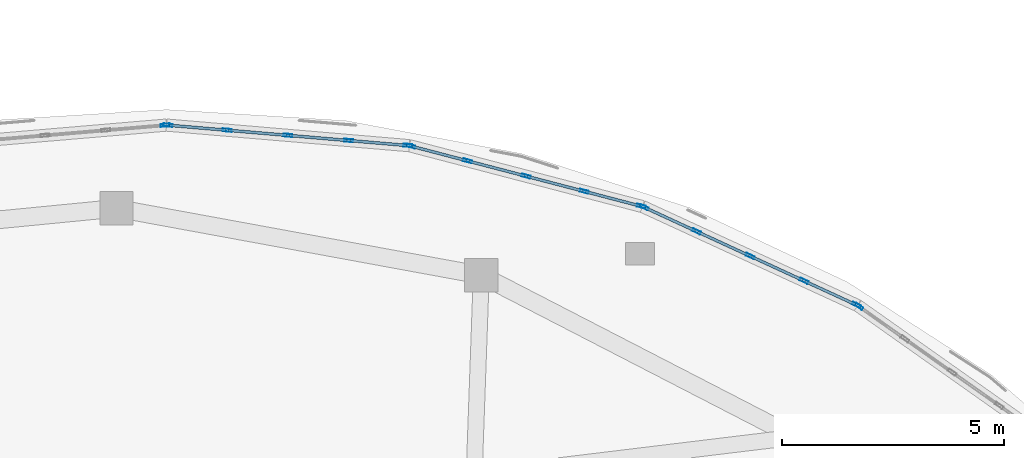
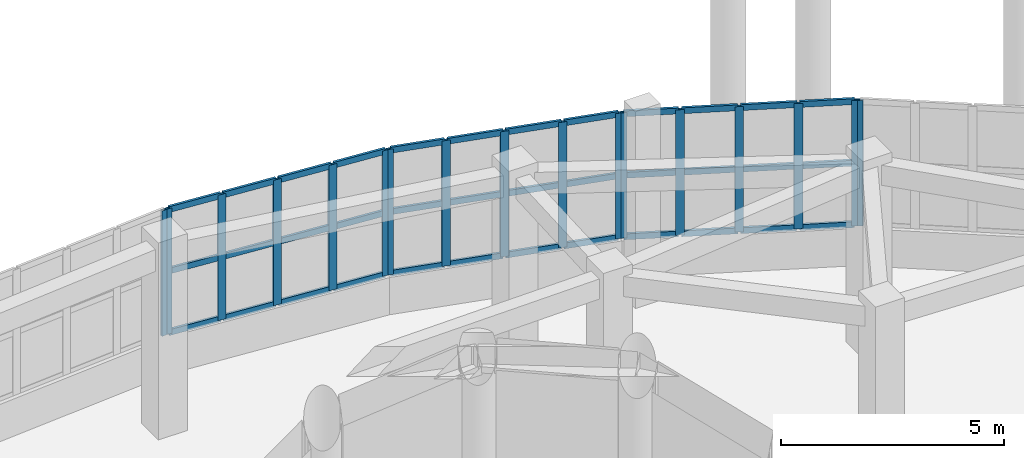
# One storey, part 48 of 96: 53 members, 5 elements without a shape of their own.
"""IFC4 building model written with IfcOpenShell, lengths in metres."""

from ifc_helpers import new_model, si_unit, direction, frame, origin, origin_2d, place, context, subcontext, project, spatial, hollow_rectangle, extrude, material, layer, layer_set, material_profile, profile_set, type_object, element, aggregate, save


model = new_model("IFC4")

# Units and contexts
model_context = context("Model", 3, precision=1e-05, world=origin(), true_north=direction((0.0, 1.0)))
body_context = subcontext(model_context, "Body", "Model", "MODEL_VIEW")
ifc_project = project(units=[si_unit("LENGTHUNIT", "METRE"), si_unit("AREAUNIT", "SQUARE_METRE"), si_unit("VOLUMEUNIT", "CUBIC_METRE"), si_unit("PLANEANGLEUNIT", "RADIAN"), si_unit("MASSUNIT", "GRAM", prefix="KILO")], contexts=[model_context])

# Site, building, storey
site_placement = place(None, origin())
site = spatial("IfcSite", under=ifc_project, at=site_placement, CompositionType="ELEMENT")
building_placement = place(site_placement, origin())
building = spatial("IfcBuilding", under=site, at=building_placement, Name="Pelvatis Terrace Science Centre", CompositionType="ELEMENT")
storey_placement = place(building_placement, origin())
storey = spatial("IfcBuildingStorey", under=building, at=storey_placement, Name="L00", CompositionType="ELEMENT", Elevation=0.0)

# Curtain wall, member
ifc_material_1 = material(Name="Bronze-anodised aluminium and laminated glass", Category="aluminium")
ifc_layer = layer(ifc_material_1, 0.199951171875)
ifc_layer_set = layer_set([ifc_layer], Name="Bronze-anodised aluminium and laminated glass")
curtain_wall_type = type_object("IfcCurtainWallType", Name="CW-RIBBON-B", PredefinedType="NOTDEFINED", material=ifc_layer_set)
curtain_wall_1_placement = place(storey_placement, origin())
curtain_wall_1 = element("IfcCurtainWall", 1, at=curtain_wall_1_placement, inside=storey, type_object=curtain_wall_type, Name="Ribbon curtain wall CW-104 (L00)", PredefinedType="NOTDEFINED")
ifc_material_2 = material(Name="Bronze-anodised aluminium 6063-T6", Category="aluminium")
ifc_material_profile_1 = material_profile(ifc_material_2, hollow_rectangle(XDim=0.06494140625, YDim=0.199951171875, WallThickness=0.00439453125, at=origin_2d()), Name="ALU-MUL 65x200")
ifc_profile_set_1 = profile_set([ifc_material_profile_1], Name="Bronze-anodised aluminium 6063-T6")
member_type_1 = type_object("IfcMemberType", Name="CWM-65x200", PredefinedType="MULLION", material=ifc_profile_set_1)
member_1_placement = place(storey_placement, frame((127.210205078125, 102.26123046875, 1.02001953125), z_axis=(0.0, 0.0, 1.0), x_axis=(-0.577064835369, -0.816698338299, 0.0)))
member_1 = element("IfcMember", 2, at=member_1_placement, type_object=member_type_1, Name="CW-104 mullion 5", PredefinedType="MULLION", context=body_context, shape_type="SweptSolid", body=[
    extrude(hollow_rectangle(XDim=0.06494140625, YDim=0.199951171875, WallThickness=0.00439453125, at=origin_2d()), origin(), (0.0, 0.0, 1.0), 3.43994140625),
])
aggregate(curtain_wall_1, [member_1])

# Curtain wall, members
curtain_wall_2_placement = place(storey_placement, origin())
curtain_wall_2 = element("IfcCurtainWall", 3, at=curtain_wall_2_placement, inside=storey, type_object=curtain_wall_type, Name="Ribbon curtain wall CW-105 (L00)", PredefinedType="NOTDEFINED")
member_2_placement = place(storey_placement, frame((127.154296875, 102.293701171875, 1.02001953125), z_axis=(0.0, 0.0, 1.0), x_axis=(-0.41805650264, -0.908421026067, 0.0)))
member_2 = element("IfcMember", 4, at=member_2_placement, type_object=member_type_1, Name="CW-105 mullion 1", PredefinedType="MULLION", context=body_context, shape_type="SweptSolid", body=[
    extrude(hollow_rectangle(XDim=0.06494140625, YDim=0.199951171875, WallThickness=0.00439453125, at=origin_2d()), origin(), (0.0, 0.0, 1.0), 3.43994140625),
])
member_3_placement = place(storey_placement, frame((125.971435546875, 102.837890625, 1.02001953125), z_axis=(0.0, 0.0, 1.0), x_axis=(-0.41805650264, -0.908421026067, 0.0)))
member_3 = element("IfcMember", 5, at=member_3_placement, type_object=member_type_1, Name="CW-105 mullion 2", PredefinedType="MULLION", context=body_context, shape_type="SweptSolid", body=[
    extrude(hollow_rectangle(XDim=0.06494140625, YDim=0.199951171875, WallThickness=0.00439453125, at=origin_2d()), origin(), (0.0, 0.0, 1.0), 3.43994140625),
])
member_4_placement = place(storey_placement, frame((124.759033203125, 103.395751953125, 1.02001953125), z_axis=(0.0, 0.0, 1.0), x_axis=(-0.41805650264, -0.908421026067, 0.0)))
member_4 = element("IfcMember", 6, at=member_4_placement, type_object=member_type_1, Name="CW-105 mullion 3", PredefinedType="MULLION", context=body_context, shape_type="SweptSolid", body=[
    extrude(hollow_rectangle(XDim=0.06494140625, YDim=0.199951171875, WallThickness=0.00439453125, at=origin_2d()), origin(), (0.0, 0.0, 1.0), 3.43994140625),
])
member_5_placement = place(storey_placement, frame((123.546630859375, 103.953857421875, 1.02001953125), z_axis=(0.0, 0.0, 1.0), x_axis=(-0.41805650264, -0.908421026067, 0.0)))
member_5 = element("IfcMember", 7, at=member_5_placement, type_object=member_type_1, Name="CW-105 mullion 4", PredefinedType="MULLION", context=body_context, shape_type="SweptSolid", body=[
    extrude(hollow_rectangle(XDim=0.06494140625, YDim=0.199951171875, WallThickness=0.00439453125, at=origin_2d()), origin(), (0.0, 0.0, 1.0), 3.43994140625),
])
member_6_placement = place(storey_placement, frame((122.36376953125, 104.498046875, 1.02001953125), z_axis=(0.0, 0.0, 1.0), x_axis=(-0.41805650264, -0.908421026067, 0.0)))
member_6 = element("IfcMember", 8, at=member_6_placement, type_object=member_type_1, Name="CW-105 mullion 5", PredefinedType="MULLION", context=body_context, shape_type="SweptSolid", body=[
    extrude(hollow_rectangle(XDim=0.06494140625, YDim=0.199951171875, WallThickness=0.00439453125, at=origin_2d()), origin(), (0.0, 0.0, 1.0), 3.43994140625),
])

curtain_wall_3_placement = place(storey_placement, origin())
curtain_wall_3 = element("IfcCurtainWall", 9, at=curtain_wall_3_placement, inside=storey, type_object=curtain_wall_type, Name="Ribbon curtain wall CW-106 (L00)", PredefinedType="NOTDEFINED")
member_7_placement = place(storey_placement, frame((122.302734375, 104.52001953125, 1.02001953125), z_axis=(0.0, 0.0, 1.0), x_axis=(-0.252698088449, -0.967545180389, 0.0)))
member_7 = element("IfcMember", 10, at=member_7_placement, type_object=member_type_1, Name="CW-106 mullion 1", PredefinedType="MULLION", context=body_context, shape_type="SweptSolid", body=[
    extrude(hollow_rectangle(XDim=0.06494140625, YDim=0.199951171875, WallThickness=0.00439453125, at=origin_2d()), origin(), (0.0, 0.0, 1.0), 3.43994140625),
])
member_8_placement = place(storey_placement, frame((121.018798828125, 104.855224609375, 1.02001953125), z_axis=(0.0, 0.0, 1.0), x_axis=(-0.252698088449, -0.967545180389, 0.0)))
member_8 = element("IfcMember", 11, at=member_8_placement, type_object=member_type_1, Name="CW-106 mullion 2", PredefinedType="MULLION", context=body_context, shape_type="SweptSolid", body=[
    extrude(hollow_rectangle(XDim=0.06494140625, YDim=0.199951171875, WallThickness=0.00439453125, at=origin_2d()), origin(), (0.0, 0.0, 1.0), 3.43994140625),
])
member_9_placement = place(storey_placement, frame((119.703369140625, 105.19873046875, 1.02001953125), z_axis=(0.0, 0.0, 1.0), x_axis=(-0.252698088449, -0.967545180389, 0.0)))
member_9 = element("IfcMember", 12, at=member_9_placement, type_object=member_type_1, Name="CW-106 mullion 3", PredefinedType="MULLION", context=body_context, shape_type="SweptSolid", body=[
    extrude(hollow_rectangle(XDim=0.06494140625, YDim=0.199951171875, WallThickness=0.00439453125, at=origin_2d()), origin(), (0.0, 0.0, 1.0), 3.43994140625),
])
member_10_placement = place(storey_placement, frame((118.3876953125, 105.54248046875, 1.02001953125), z_axis=(0.0, 0.0, 1.0), x_axis=(-0.252698088449, -0.967545180389, 0.0)))
member_10 = element("IfcMember", 13, at=member_10_placement, type_object=member_type_1, Name="CW-106 mullion 4", PredefinedType="MULLION", context=body_context, shape_type="SweptSolid", body=[
    extrude(hollow_rectangle(XDim=0.06494140625, YDim=0.199951171875, WallThickness=0.00439453125, at=origin_2d()), origin(), (0.0, 0.0, 1.0), 3.43994140625),
])
member_11_placement = place(storey_placement, frame((117.103759765625, 105.877685546875, 1.02001953125), z_axis=(0.0, 0.0, 1.0), x_axis=(-0.252698088449, -0.967545180389, 0.0)))
member_11 = element("IfcMember", 14, at=member_11_placement, type_object=member_type_1, Name="CW-106 mullion 5", PredefinedType="MULLION", context=body_context, shape_type="SweptSolid", body=[
    extrude(hollow_rectangle(XDim=0.06494140625, YDim=0.199951171875, WallThickness=0.00439453125, at=origin_2d()), origin(), (0.0, 0.0, 1.0), 3.43994140625),
])

curtain_wall_4_placement = place(storey_placement, origin())
curtain_wall_4 = element("IfcCurtainWall", 15, at=curtain_wall_4_placement, inside=storey, type_object=curtain_wall_type, Name="Ribbon curtain wall CW-107 (L00)", PredefinedType="NOTDEFINED")
member_12_placement = place(storey_placement, frame((117.039794921875, 105.888671875, 1.02001953125), z_axis=(0.0, 0.0, 1.0), x_axis=(-0.084487507255, -0.996424538597, 0.0)))
member_12 = element("IfcMember", 16, at=member_12_placement, type_object=member_type_1, Name="CW-107 mullion 1", PredefinedType="MULLION", context=body_context, shape_type="SweptSolid", body=[
    extrude(hollow_rectangle(XDim=0.06494140625, YDim=0.199951171875, WallThickness=0.00439453125, at=origin_2d()), origin(), (0.0, 0.0, 1.0), 3.43994140625),
])
member_13_placement = place(storey_placement, frame((115.704345703125, 106.001953125, 1.02001953125), z_axis=(0.0, 0.0, 1.0), x_axis=(-0.084487507255, -0.996424538597, 0.0)))
member_13 = element("IfcMember", 17, at=member_13_placement, type_object=member_type_1, Name="CW-107 mullion 2", PredefinedType="MULLION", context=body_context, shape_type="SweptSolid", body=[
    extrude(hollow_rectangle(XDim=0.06494140625, YDim=0.199951171875, WallThickness=0.00439453125, at=origin_2d()), origin(), (0.0, 0.0, 1.0), 3.43994140625),
])
member_14_placement = place(storey_placement, frame((114.336181640625, 106.117919921875, 1.02001953125), z_axis=(0.0, 0.0, 1.0), x_axis=(-0.084487507255, -0.996424538597, 0.0)))
member_14 = element("IfcMember", 18, at=member_14_placement, type_object=member_type_1, Name="CW-107 mullion 3", PredefinedType="MULLION", context=body_context, shape_type="SweptSolid", body=[
    extrude(hollow_rectangle(XDim=0.06494140625, YDim=0.199951171875, WallThickness=0.00439453125, at=origin_2d()), origin(), (0.0, 0.0, 1.0), 3.43994140625),
])
member_15_placement = place(storey_placement, frame((112.968017578125, 106.23388671875, 1.02001953125), z_axis=(0.0, 0.0, 1.0), x_axis=(-0.084487507255, -0.996424538597, 0.0)))
member_15 = element("IfcMember", 19, at=member_15_placement, type_object=member_type_1, Name="CW-107 mullion 4", PredefinedType="MULLION", context=body_context, shape_type="SweptSolid", body=[
    extrude(hollow_rectangle(XDim=0.06494140625, YDim=0.199951171875, WallThickness=0.00439453125, at=origin_2d()), origin(), (0.0, 0.0, 1.0), 3.43994140625),
])
member_16_placement = place(storey_placement, frame((111.63232421875, 106.34716796875, 1.02001953125), z_axis=(0.0, 0.0, 1.0), x_axis=(-0.084487507255, -0.996424538597, 0.0)))
member_16 = element("IfcMember", 20, at=member_16_placement, type_object=member_type_1, Name="CW-107 mullion 5", PredefinedType="MULLION", context=body_context, shape_type="SweptSolid", body=[
    extrude(hollow_rectangle(XDim=0.06494140625, YDim=0.199951171875, WallThickness=0.00439453125, at=origin_2d()), origin(), (0.0, 0.0, 1.0), 3.43994140625),
])

# Curtain wall, member
curtain_wall_5_placement = place(storey_placement, origin())
curtain_wall_5 = element("IfcCurtainWall", 21, at=curtain_wall_5_placement, inside=storey, type_object=curtain_wall_type, Name="Ribbon curtain wall CW-108 (L00)", PredefinedType="NOTDEFINED")
member_17_placement = place(storey_placement, frame((111.567626953125, 106.34716796875, 1.02001953125), z_axis=(0.0, 0.0, 1.0), x_axis=(0.084487507255, -0.996424538597, 0.0)))
member_17 = element("IfcMember", 22, at=member_17_placement, type_object=member_type_1, Name="CW-108 mullion 1", PredefinedType="MULLION", context=body_context, shape_type="SweptSolid", body=[
    extrude(hollow_rectangle(XDim=0.06494140625, YDim=0.199951171875, WallThickness=0.00439453125, at=origin_2d()), origin(), (0.0, 0.0, 1.0), 3.43994140625),
])
aggregate(curtain_wall_5, [member_17])

# Member
ifc_material_3 = material(Name="Bronze-anodised aluminium 6063-T6", Category="aluminium")
ifc_material_profile_2 = material_profile(ifc_material_3, hollow_rectangle(XDim=0.06494140625, YDim=0.159912109375, WallThickness=0.00390625, at=origin_2d()), Name="ALU-TRN 65x160")
ifc_profile_set_2 = profile_set([ifc_material_profile_2], Name="Bronze-anodised aluminium 6063-T6")
member_type_2 = type_object("IfcMemberType", Name="CWT-65x160", PredefinedType="USERDEFINED", material=ifc_profile_set_2)
member_18_placement = place(storey_placement, frame((127.124755859375, 102.30712890625, 1.052490234375), z_axis=(-0.908443990463, 0.418006598262, 0.0), x_axis=(-0.418006598262, -0.908443990463, 0.0)))
member_18 = element("IfcMember", 23, at=member_18_placement, type_object=member_type_2, Name="CW-105 transom 1.1", ObjectType="TRANSOM", PredefinedType="USERDEFINED", context=body_context, shape_type="SweptSolid", body=[
    extrude(hollow_rectangle(XDim=0.06494140625, YDim=0.159912109375, WallThickness=0.00390625, at=origin_2d()), origin(), (0.0, 0.0, 1.0), 1.237060546875),
])

member_19_placement = place(storey_placement, frame((127.124755859375, 102.30712890625, 2.739990234375), z_axis=(-0.908443990463, 0.418006598262, 0.0), x_axis=(-0.418006598262, -0.908443990463, 0.0)))
member_19 = element("IfcMember", 24, at=member_19_placement, type_object=member_type_2, Name="CW-105 transom 1.2", ObjectType="TRANSOM", PredefinedType="USERDEFINED", context=body_context, shape_type="SweptSolid", body=[
    extrude(hollow_rectangle(XDim=0.06494140625, YDim=0.159912109375, WallThickness=0.00390625, at=origin_2d()), origin(), (0.0, 0.0, 1.0), 1.237060546875),
])

member_20_placement = place(storey_placement, frame((127.124755859375, 102.30712890625, 4.427490234375), z_axis=(-0.908443990463, 0.418006598262, 0.0), x_axis=(-0.418006598262, -0.908443990463, 0.0)))
member_20 = element("IfcMember", 25, at=member_20_placement, type_object=member_type_2, Name="CW-105 transom 1.3", ObjectType="TRANSOM", PredefinedType="USERDEFINED", context=body_context, shape_type="SweptSolid", body=[
    extrude(hollow_rectangle(XDim=0.06494140625, YDim=0.159912109375, WallThickness=0.00390625, at=origin_2d()), origin(), (0.0, 0.0, 1.0), 1.237060546875),
])

member_21_placement = place(storey_placement, frame((125.94189453125, 102.8515625, 1.052490234375), z_axis=(-0.908420351401, 0.418057968659, 0.0), x_axis=(-0.418057968659, -0.908420351401, 0.0)))
member_21 = element("IfcMember", 26, at=member_21_placement, type_object=member_type_2, Name="CW-105 transom 2.1", ObjectType="TRANSOM", PredefinedType="USERDEFINED", context=body_context, shape_type="SweptSolid", body=[
    extrude(hollow_rectangle(XDim=0.06494140625, YDim=0.159912109375, WallThickness=0.00390625, at=origin_2d()), origin(), (0.0, 0.0, 1.0), 1.26953125),
])

member_22_placement = place(storey_placement, frame((125.94189453125, 102.8515625, 2.739990234375), z_axis=(-0.908420351401, 0.418057968659, 0.0), x_axis=(-0.418057968659, -0.908420351401, 0.0)))
member_22 = element("IfcMember", 27, at=member_22_placement, type_object=member_type_2, Name="CW-105 transom 2.2", ObjectType="TRANSOM", PredefinedType="USERDEFINED", context=body_context, shape_type="SweptSolid", body=[
    extrude(hollow_rectangle(XDim=0.06494140625, YDim=0.159912109375, WallThickness=0.00390625, at=origin_2d()), origin(), (0.0, 0.0, 1.0), 1.26953125),
])

member_23_placement = place(storey_placement, frame((125.94189453125, 102.8515625, 4.427490234375), z_axis=(-0.908420351401, 0.418057968659, 0.0), x_axis=(-0.418057968659, -0.908420351401, 0.0)))
member_23 = element("IfcMember", 28, at=member_23_placement, type_object=member_type_2, Name="CW-105 transom 2.3", ObjectType="TRANSOM", PredefinedType="USERDEFINED", context=body_context, shape_type="SweptSolid", body=[
    extrude(hollow_rectangle(XDim=0.06494140625, YDim=0.159912109375, WallThickness=0.00390625, at=origin_2d()), origin(), (0.0, 0.0, 1.0), 1.26953125),
])

member_24_placement = place(storey_placement, frame((124.7294921875, 103.409423828125, 1.052490234375), z_axis=(-0.908420351401, 0.418057968659, 0.0), x_axis=(-0.418057968659, -0.908420351401, 0.0)))
member_24 = element("IfcMember", 29, at=member_24_placement, type_object=member_type_2, Name="CW-105 transom 3.1", ObjectType="TRANSOM", PredefinedType="USERDEFINED", context=body_context, shape_type="SweptSolid", body=[
    extrude(hollow_rectangle(XDim=0.06494140625, YDim=0.159912109375, WallThickness=0.00390625, at=origin_2d()), origin(), (0.0, 0.0, 1.0), 1.26953125),
])

member_25_placement = place(storey_placement, frame((124.7294921875, 103.409423828125, 2.739990234375), z_axis=(-0.908420351401, 0.418057968659, 0.0), x_axis=(-0.418057968659, -0.908420351401, 0.0)))
member_25 = element("IfcMember", 30, at=member_25_placement, type_object=member_type_2, Name="CW-105 transom 3.2", ObjectType="TRANSOM", PredefinedType="USERDEFINED", context=body_context, shape_type="SweptSolid", body=[
    extrude(hollow_rectangle(XDim=0.06494140625, YDim=0.159912109375, WallThickness=0.00390625, at=origin_2d()), origin(), (0.0, 0.0, 1.0), 1.26953125),
])

member_26_placement = place(storey_placement, frame((124.7294921875, 103.409423828125, 4.427490234375), z_axis=(-0.908420351401, 0.418057968659, 0.0), x_axis=(-0.418057968659, -0.908420351401, 0.0)))
member_26 = element("IfcMember", 31, at=member_26_placement, type_object=member_type_2, Name="CW-105 transom 3.3", ObjectType="TRANSOM", PredefinedType="USERDEFINED", context=body_context, shape_type="SweptSolid", body=[
    extrude(hollow_rectangle(XDim=0.06494140625, YDim=0.159912109375, WallThickness=0.00390625, at=origin_2d()), origin(), (0.0, 0.0, 1.0), 1.26953125),
])

member_27_placement = place(storey_placement, frame((123.51708984375, 103.96728515625, 1.052490234375), z_axis=(-0.908369037771, 0.418169452756, 0.0), x_axis=(-0.418169452756, -0.908369037771, 0.0)))
member_27 = element("IfcMember", 32, at=member_27_placement, type_object=member_type_2, Name="CW-105 transom 4.1", ObjectType="TRANSOM", PredefinedType="USERDEFINED", context=body_context, shape_type="SweptSolid", body=[
    extrude(hollow_rectangle(XDim=0.06494140625, YDim=0.159912109375, WallThickness=0.00390625, at=origin_2d()), origin(), (0.0, 0.0, 1.0), 1.237060546875),
])

member_28_placement = place(storey_placement, frame((123.51708984375, 103.96728515625, 2.739990234375), z_axis=(-0.908369037771, 0.418169452756, 0.0), x_axis=(-0.418169452756, -0.908369037771, 0.0)))
member_28 = element("IfcMember", 33, at=member_28_placement, type_object=member_type_2, Name="CW-105 transom 4.2", ObjectType="TRANSOM", PredefinedType="USERDEFINED", context=body_context, shape_type="SweptSolid", body=[
    extrude(hollow_rectangle(XDim=0.06494140625, YDim=0.159912109375, WallThickness=0.00390625, at=origin_2d()), origin(), (0.0, 0.0, 1.0), 1.237060546875),
])

member_29_placement = place(storey_placement, frame((123.51708984375, 103.96728515625, 4.427490234375), z_axis=(-0.908369037771, 0.418169452756, 0.0), x_axis=(-0.418169452756, -0.908369037771, 0.0)))
member_29 = element("IfcMember", 34, at=member_29_placement, type_object=member_type_2, Name="CW-105 transom 4.3", ObjectType="TRANSOM", PredefinedType="USERDEFINED", context=body_context, shape_type="SweptSolid", body=[
    extrude(hollow_rectangle(XDim=0.06494140625, YDim=0.159912109375, WallThickness=0.00390625, at=origin_2d()), origin(), (0.0, 0.0, 1.0), 1.237060546875),
])

aggregate(curtain_wall_2, [member_2, member_3, member_4, member_5, member_6, member_18, member_19, member_20, member_21, member_22, member_23, member_24, member_25, member_26, member_27, member_28, member_29])

member_30_placement = place(storey_placement, frame((122.271484375, 104.528076171875, 1.052490234375), z_axis=(-0.967516545518, 0.252807701918, 0.0), x_axis=(-0.252807701918, -0.967516545518, 0.0)))
member_30 = element("IfcMember", 35, at=member_30_placement, type_object=member_type_2, Name="CW-106 transom 1.1", ObjectType="TRANSOM", PredefinedType="USERDEFINED", context=body_context, shape_type="SweptSolid", body=[
    extrude(hollow_rectangle(XDim=0.06494140625, YDim=0.159912109375, WallThickness=0.00390625, at=origin_2d()), origin(), (0.0, 0.0, 1.0), 1.26220703125),
])

member_31_placement = place(storey_placement, frame((122.271484375, 104.528076171875, 2.739990234375), z_axis=(-0.967516545518, 0.252807701918, 0.0), x_axis=(-0.252807701918, -0.967516545518, 0.0)))
member_31 = element("IfcMember", 36, at=member_31_placement, type_object=member_type_2, Name="CW-106 transom 1.2", ObjectType="TRANSOM", PredefinedType="USERDEFINED", context=body_context, shape_type="SweptSolid", body=[
    extrude(hollow_rectangle(XDim=0.06494140625, YDim=0.159912109375, WallThickness=0.00390625, at=origin_2d()), origin(), (0.0, 0.0, 1.0), 1.26220703125),
])

member_32_placement = place(storey_placement, frame((122.271484375, 104.528076171875, 4.427490234375), z_axis=(-0.967516545518, 0.252807701918, 0.0), x_axis=(-0.252807701918, -0.967516545518, 0.0)))
member_32 = element("IfcMember", 37, at=member_32_placement, type_object=member_type_2, Name="CW-106 transom 1.3", ObjectType="TRANSOM", PredefinedType="USERDEFINED", context=body_context, shape_type="SweptSolid", body=[
    extrude(hollow_rectangle(XDim=0.06494140625, YDim=0.159912109375, WallThickness=0.00390625, at=origin_2d()), origin(), (0.0, 0.0, 1.0), 1.26220703125),
])

member_33_placement = place(storey_placement, frame((120.9873046875, 104.863525390625, 1.052490234375), z_axis=(-0.967537108805, 0.252728991384, 0.0), x_axis=(-0.252728991384, -0.967537108805, 0.0)))
member_33 = element("IfcMember", 38, at=member_33_placement, type_object=member_type_2, Name="CW-106 transom 2.1", ObjectType="TRANSOM", PredefinedType="USERDEFINED", context=body_context, shape_type="SweptSolid", body=[
    extrude(hollow_rectangle(XDim=0.06494140625, YDim=0.159912109375, WallThickness=0.00390625, at=origin_2d()), origin(), (0.0, 0.0, 1.0), 1.29443359375),
])

member_34_placement = place(storey_placement, frame((120.9873046875, 104.863525390625, 2.739990234375), z_axis=(-0.967537108805, 0.252728991384, 0.0), x_axis=(-0.252728991384, -0.967537108805, 0.0)))
member_34 = element("IfcMember", 39, at=member_34_placement, type_object=member_type_2, Name="CW-106 transom 2.2", ObjectType="TRANSOM", PredefinedType="USERDEFINED", context=body_context, shape_type="SweptSolid", body=[
    extrude(hollow_rectangle(XDim=0.06494140625, YDim=0.159912109375, WallThickness=0.00390625, at=origin_2d()), origin(), (0.0, 0.0, 1.0), 1.29443359375),
])

member_35_placement = place(storey_placement, frame((120.9873046875, 104.863525390625, 4.427490234375), z_axis=(-0.967537108805, 0.252728991384, 0.0), x_axis=(-0.252728991384, -0.967537108805, 0.0)))
member_35 = element("IfcMember", 40, at=member_35_placement, type_object=member_type_2, Name="CW-106 transom 2.3", ObjectType="TRANSOM", PredefinedType="USERDEFINED", context=body_context, shape_type="SweptSolid", body=[
    extrude(hollow_rectangle(XDim=0.06494140625, YDim=0.159912109375, WallThickness=0.00390625, at=origin_2d()), origin(), (0.0, 0.0, 1.0), 1.29443359375),
])

member_36_placement = place(storey_placement, frame((119.671875, 105.20703125, 1.052490234375), z_axis=(-0.967549151995, 0.252682881246, 0.0), x_axis=(-0.252682881246, -0.967549151995, 0.0)))
member_36 = element("IfcMember", 41, at=member_36_placement, type_object=member_type_2, Name="CW-106 transom 3.1", ObjectType="TRANSOM", PredefinedType="USERDEFINED", context=body_context, shape_type="SweptSolid", body=[
    extrude(hollow_rectangle(XDim=0.06494140625, YDim=0.159912109375, WallThickness=0.00390625, at=origin_2d()), origin(), (0.0, 0.0, 1.0), 1.294677734375),
])

member_37_placement = place(storey_placement, frame((119.671875, 105.20703125, 2.739990234375), z_axis=(-0.967549151995, 0.252682881246, 0.0), x_axis=(-0.252682881246, -0.967549151995, 0.0)))
member_37 = element("IfcMember", 42, at=member_37_placement, type_object=member_type_2, Name="CW-106 transom 3.2", ObjectType="TRANSOM", PredefinedType="USERDEFINED", context=body_context, shape_type="SweptSolid", body=[
    extrude(hollow_rectangle(XDim=0.06494140625, YDim=0.159912109375, WallThickness=0.00390625, at=origin_2d()), origin(), (0.0, 0.0, 1.0), 1.294677734375),
])

member_38_placement = place(storey_placement, frame((119.671875, 105.20703125, 4.427490234375), z_axis=(-0.967549151995, 0.252682881246, 0.0), x_axis=(-0.252682881246, -0.967549151995, 0.0)))
member_38 = element("IfcMember", 43, at=member_38_placement, type_object=member_type_2, Name="CW-106 transom 3.3", ObjectType="TRANSOM", PredefinedType="USERDEFINED", context=body_context, shape_type="SweptSolid", body=[
    extrude(hollow_rectangle(XDim=0.06494140625, YDim=0.159912109375, WallThickness=0.00390625, at=origin_2d()), origin(), (0.0, 0.0, 1.0), 1.294677734375),
])

member_39_placement = place(storey_placement, frame((118.3564453125, 105.550537109375, 1.052490234375), z_axis=(-0.967516545518, 0.252807701918, 0.0), x_axis=(-0.252807701918, -0.967516545518, 0.0)))
member_39 = element("IfcMember", 44, at=member_39_placement, type_object=member_type_2, Name="CW-106 transom 4.1", ObjectType="TRANSOM", PredefinedType="USERDEFINED", context=body_context, shape_type="SweptSolid", body=[
    extrude(hollow_rectangle(XDim=0.06494140625, YDim=0.159912109375, WallThickness=0.00390625, at=origin_2d()), origin(), (0.0, 0.0, 1.0), 1.26220703125),
])

member_40_placement = place(storey_placement, frame((118.3564453125, 105.550537109375, 2.739990234375), z_axis=(-0.967516545518, 0.252807701918, 0.0), x_axis=(-0.252807701918, -0.967516545518, 0.0)))
member_40 = element("IfcMember", 45, at=member_40_placement, type_object=member_type_2, Name="CW-106 transom 4.2", ObjectType="TRANSOM", PredefinedType="USERDEFINED", context=body_context, shape_type="SweptSolid", body=[
    extrude(hollow_rectangle(XDim=0.06494140625, YDim=0.159912109375, WallThickness=0.00390625, at=origin_2d()), origin(), (0.0, 0.0, 1.0), 1.26220703125),
])

member_41_placement = place(storey_placement, frame((118.3564453125, 105.550537109375, 4.427490234375), z_axis=(-0.967516545518, 0.252807701918, 0.0), x_axis=(-0.252807701918, -0.967516545518, 0.0)))
member_41 = element("IfcMember", 46, at=member_41_placement, type_object=member_type_2, Name="CW-106 transom 4.3", ObjectType="TRANSOM", PredefinedType="USERDEFINED", context=body_context, shape_type="SweptSolid", body=[
    extrude(hollow_rectangle(XDim=0.06494140625, YDim=0.159912109375, WallThickness=0.00390625, at=origin_2d()), origin(), (0.0, 0.0, 1.0), 1.26220703125),
])

aggregate(curtain_wall_3, [member_7, member_8, member_9, member_10, member_11, member_30, member_31, member_32, member_33, member_34, member_35, member_36, member_37, member_38, member_39, member_40, member_41])

member_42_placement = place(storey_placement, frame((117.007568359375, 105.8916015625, 1.052490234375), z_axis=(-0.996431306843, 0.084407646239, 0.0), x_axis=(-0.084407646239, -0.996431306843, 0.0)))
member_42 = element("IfcMember", 47, at=member_42_placement, type_object=member_type_2, Name="CW-107 transom 1.1", ObjectType="TRANSOM", PredefinedType="USERDEFINED", context=body_context, shape_type="SweptSolid", body=[
    extrude(hollow_rectangle(XDim=0.06494140625, YDim=0.159912109375, WallThickness=0.00390625, at=origin_2d()), origin(), (0.0, 0.0, 1.0), 1.275634765625),
])

member_43_placement = place(storey_placement, frame((117.007568359375, 105.8916015625, 2.739990234375), z_axis=(-0.996431306843, 0.084407646239, 0.0), x_axis=(-0.084407646239, -0.996431306843, 0.0)))
member_43 = element("IfcMember", 48, at=member_43_placement, type_object=member_type_2, Name="CW-107 transom 1.2", ObjectType="TRANSOM", PredefinedType="USERDEFINED", context=body_context, shape_type="SweptSolid", body=[
    extrude(hollow_rectangle(XDim=0.06494140625, YDim=0.159912109375, WallThickness=0.00390625, at=origin_2d()), origin(), (0.0, 0.0, 1.0), 1.275634765625),
])

member_44_placement = place(storey_placement, frame((117.007568359375, 105.8916015625, 4.427490234375), z_axis=(-0.996431306843, 0.084407646239, 0.0), x_axis=(-0.084407646239, -0.996431306843, 0.0)))
member_44 = element("IfcMember", 49, at=member_44_placement, type_object=member_type_2, Name="CW-107 transom 1.3", ObjectType="TRANSOM", PredefinedType="USERDEFINED", context=body_context, shape_type="SweptSolid", body=[
    extrude(hollow_rectangle(XDim=0.06494140625, YDim=0.159912109375, WallThickness=0.00390625, at=origin_2d()), origin(), (0.0, 0.0, 1.0), 1.275634765625),
])

member_45_placement = place(storey_placement, frame((115.671875, 106.004638671875, 1.052490234375), z_axis=(-0.996418448418, 0.084559302573, 0.0), x_axis=(-0.084559302573, -0.996418448418, 0.0)))
member_45 = element("IfcMember", 50, at=member_45_placement, type_object=member_type_2, Name="CW-107 transom 2.1", ObjectType="TRANSOM", PredefinedType="USERDEFINED", context=body_context, shape_type="SweptSolid", body=[
    extrude(hollow_rectangle(XDim=0.06494140625, YDim=0.159912109375, WallThickness=0.00390625, at=origin_2d()), origin(), (0.0, 0.0, 1.0), 1.307861328125),
])

member_46_placement = place(storey_placement, frame((115.671875, 106.004638671875, 2.739990234375), z_axis=(-0.996418448418, 0.084559302573, 0.0), x_axis=(-0.084559302573, -0.996418448418, 0.0)))
member_46 = element("IfcMember", 51, at=member_46_placement, type_object=member_type_2, Name="CW-107 transom 2.2", ObjectType="TRANSOM", PredefinedType="USERDEFINED", context=body_context, shape_type="SweptSolid", body=[
    extrude(hollow_rectangle(XDim=0.06494140625, YDim=0.159912109375, WallThickness=0.00390625, at=origin_2d()), origin(), (0.0, 0.0, 1.0), 1.307861328125),
])

member_47_placement = place(storey_placement, frame((115.671875, 106.004638671875, 4.427490234375), z_axis=(-0.996418448418, 0.084559302573, 0.0), x_axis=(-0.084559302573, -0.996418448418, 0.0)))
member_47 = element("IfcMember", 52, at=member_47_placement, type_object=member_type_2, Name="CW-107 transom 2.3", ObjectType="TRANSOM", PredefinedType="USERDEFINED", context=body_context, shape_type="SweptSolid", body=[
    extrude(hollow_rectangle(XDim=0.06494140625, YDim=0.159912109375, WallThickness=0.00390625, at=origin_2d()), origin(), (0.0, 0.0, 1.0), 1.307861328125),
])

member_48_placement = place(storey_placement, frame((114.3037109375, 106.120849609375, 1.052490234375), z_axis=(-0.996434159171, 0.084373967768, 0.0), x_axis=(-0.084373967768, -0.996434159171, 0.0)))
member_48 = element("IfcMember", 53, at=member_48_placement, type_object=member_type_2, Name="CW-107 transom 3.1", ObjectType="TRANSOM", PredefinedType="USERDEFINED", context=body_context, shape_type="SweptSolid", body=[
    extrude(hollow_rectangle(XDim=0.06494140625, YDim=0.159912109375, WallThickness=0.00390625, at=origin_2d()), origin(), (0.0, 0.0, 1.0), 1.307861328125),
])

member_49_placement = place(storey_placement, frame((114.3037109375, 106.120849609375, 2.739990234375), z_axis=(-0.996434159171, 0.084373967768, 0.0), x_axis=(-0.084373967768, -0.996434159171, 0.0)))
member_49 = element("IfcMember", 54, at=member_49_placement, type_object=member_type_2, Name="CW-107 transom 3.2", ObjectType="TRANSOM", PredefinedType="USERDEFINED", context=body_context, shape_type="SweptSolid", body=[
    extrude(hollow_rectangle(XDim=0.06494140625, YDim=0.159912109375, WallThickness=0.00390625, at=origin_2d()), origin(), (0.0, 0.0, 1.0), 1.307861328125),
])

member_50_placement = place(storey_placement, frame((114.3037109375, 106.120849609375, 4.427490234375), z_axis=(-0.996434159171, 0.084373967768, 0.0), x_axis=(-0.084373967768, -0.996434159171, 0.0)))
member_50 = element("IfcMember", 55, at=member_50_placement, type_object=member_type_2, Name="CW-107 transom 3.3", ObjectType="TRANSOM", PredefinedType="USERDEFINED", context=body_context, shape_type="SweptSolid", body=[
    extrude(hollow_rectangle(XDim=0.06494140625, YDim=0.159912109375, WallThickness=0.00390625, at=origin_2d()), origin(), (0.0, 0.0, 1.0), 1.307861328125),
])

member_51_placement = place(storey_placement, frame((112.935791015625, 106.23681640625, 1.052490234375), z_axis=(-0.996431306843, 0.084407646239, 0.0), x_axis=(-0.084407646239, -0.996431306843, 0.0)))
member_51 = element("IfcMember", 56, at=member_51_placement, type_object=member_type_2, Name="CW-107 transom 4.1", ObjectType="TRANSOM", PredefinedType="USERDEFINED", context=body_context, shape_type="SweptSolid", body=[
    extrude(hollow_rectangle(XDim=0.06494140625, YDim=0.159912109375, WallThickness=0.00390625, at=origin_2d()), origin(), (0.0, 0.0, 1.0), 1.275634765625),
])

member_52_placement = place(storey_placement, frame((112.935791015625, 106.23681640625, 2.739990234375), z_axis=(-0.996431306843, 0.084407646239, 0.0), x_axis=(-0.084407646239, -0.996431306843, 0.0)))
member_52 = element("IfcMember", 57, at=member_52_placement, type_object=member_type_2, Name="CW-107 transom 4.2", ObjectType="TRANSOM", PredefinedType="USERDEFINED", context=body_context, shape_type="SweptSolid", body=[
    extrude(hollow_rectangle(XDim=0.06494140625, YDim=0.159912109375, WallThickness=0.00390625, at=origin_2d()), origin(), (0.0, 0.0, 1.0), 1.275634765625),
])

member_53_placement = place(storey_placement, frame((112.935791015625, 106.23681640625, 4.427490234375), z_axis=(-0.996431306843, 0.084407646239, 0.0), x_axis=(-0.084407646239, -0.996431306843, 0.0)))
member_53 = element("IfcMember", 58, at=member_53_placement, type_object=member_type_2, Name="CW-107 transom 4.3", ObjectType="TRANSOM", PredefinedType="USERDEFINED", context=body_context, shape_type="SweptSolid", body=[
    extrude(hollow_rectangle(XDim=0.06494140625, YDim=0.159912109375, WallThickness=0.00390625, at=origin_2d()), origin(), (0.0, 0.0, 1.0), 1.275634765625),
])

aggregate(curtain_wall_4, [member_12, member_13, member_14, member_15, member_16, member_42, member_43, member_44, member_45, member_46, member_47, member_48, member_49, member_50, member_51, member_52, member_53])

save(model, "model.ifc")
